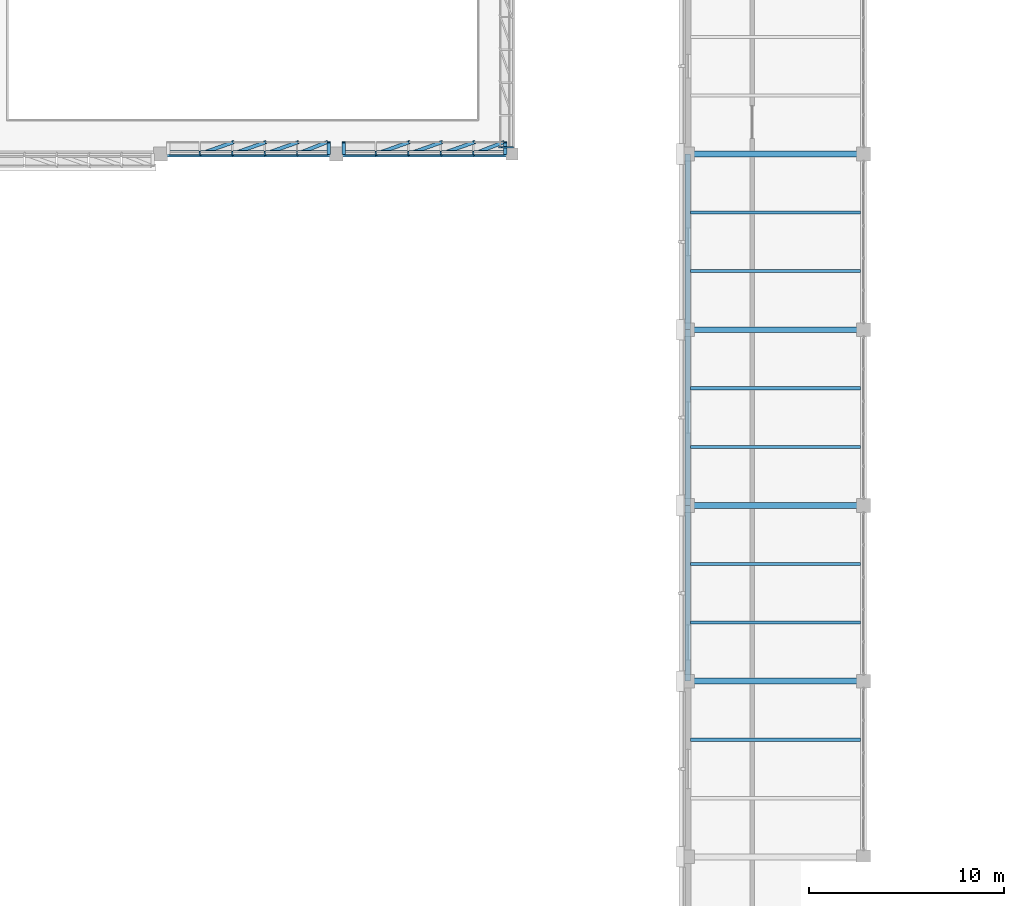
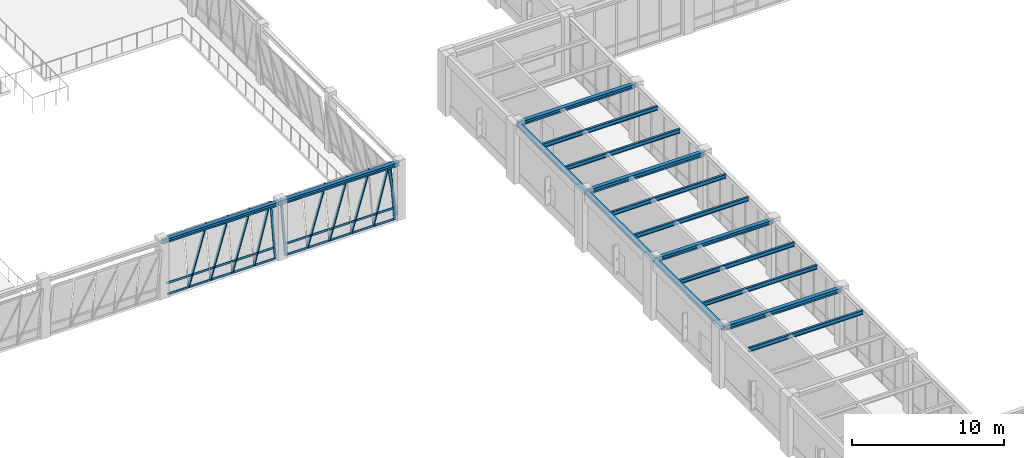
# One storey, part 35 of 98: 32 members, 16 beams, 3 elements without a shape of their own.
"""IFC4 building model written with IfcOpenShell, lengths in metres."""

from ifc_helpers import new_model, si_unit, direction, frame, origin, origin_2d, place, context, subcontext, project, spatial, hollow_rectangle, i_section, extrude, material, material_profile, profile_set, type_object, element, aggregate, save


model = new_model("IFC4")

# Units and contexts
model_context = context("Model", 3, precision=1e-05, world=origin(), true_north=direction((0.0, 1.0)))
body_context = subcontext(model_context, "Body", "Model", "MODEL_VIEW")
ifc_project = project(units=[si_unit("LENGTHUNIT", "METRE"), si_unit("AREAUNIT", "SQUARE_METRE"), si_unit("VOLUMEUNIT", "CUBIC_METRE"), si_unit("PLANEANGLEUNIT", "RADIAN"), si_unit("MASSUNIT", "GRAM", prefix="KILO")], contexts=[model_context])

# Site, building, storey
site_placement = place(None, origin())
site = spatial("IfcSite", under=ifc_project, at=site_placement, CompositionType="ELEMENT")
building_placement = place(site_placement, origin())
building = spatial("IfcBuilding", under=site, at=building_placement, Name="Lykobir Media Centre", CompositionType="ELEMENT")
storey_placement = place(building_placement, frame((0.0, 0.0, 10.199951171875)))
storey = spatial("IfcBuildingStorey", under=building, at=storey_placement, Name="L02", CompositionType="ELEMENT", Elevation=10.199951171875)

# Beams
ifc_material_1 = material(Name="Steel S355", Category="steel")
ifc_material_profile_1 = material_profile(ifc_material_1, i_section(OverallWidth=0.300048828125, OverallDepth=0.35009765625, WebThickness=0.010009765625, FlangeThickness=0.017578125, at=origin_2d()), Name="HEA 360")
ifc_profile_set_1 = profile_set([ifc_material_profile_1], Name="Steel S355")
beam_type_1 = type_object("IfcBeamType", Name="BM-HEA360", PredefinedType="BEAM", material=ifc_profile_set_1)
for number, where, z_axis, x_axis, name in (
    (1, (90.0, 36.0, 4.385009765625), (1.0, 0.0, 0.0), (0.0, 1.0, 0.0), "Beam BM-L02-0900-0360-0990-0360-1458"),
    (2, (90.0, 54.0, 4.385009765625), (1.0, 0.0, 0.0), (0.0, 1.0, 0.0), "Beam BM-L02-0900-0540-0990-0540-1458"),
):
    element("IfcBeam", number, at=place(storey_placement, frame(where, z_axis=z_axis, x_axis=x_axis)), inside=storey, type_object=beam_type_1, Name=name, PredefinedType="BEAM", context=body_context, shape_type="SweptSolid", body=[
        extrude(i_section(OverallWidth=0.300048828125, OverallDepth=0.35009765625, WebThickness=0.010009765625, FlangeThickness=0.017578125, at=origin_2d()), origin(), (0.0, 0.0, 1.0), 9.0),
    ])

# Curtain wall, members
ifc_material_2 = material(Name="Anodized Aluminium AW-6060", Category="aluminium")
curtain_wall_type = type_object("IfcCurtainWallType", Name="CW-V6-CR2", PredefinedType="NOTDEFINED", material=ifc_material_2)
curtain_wall_1_placement = place(storey_placement, origin())
curtain_wall_1 = element("IfcCurtainWall", 3, at=curtain_wall_1_placement, inside=storey, type_object=curtain_wall_type, Name="Curtain wall CW2-L02-0085", PredefinedType="NOTDEFINED")
ifc_material_profile_2 = material_profile(ifc_material_2, hollow_rectangle(XDim=0.074951171875, YDim=0.179931640625, WallThickness=0.00390625, at=origin_2d()), Name="ALU MULLION 75x180")
ifc_profile_set_2 = profile_set([ifc_material_profile_2], Name="Anodized Aluminium AW-6060")
member_type_1 = type_object("IfcMemberType", Name="CWM-180", PredefinedType="MULLION", material=ifc_profile_set_2)
member_1_placement = place(storey_placement, frame((71.607421875, 63.0, 0.0), z_axis=(0.0, 0.142643417261, 0.989774143687), x_axis=(0.0, 0.989774143687, -0.142643417261)))
member_1 = element("IfcMember", 4, at=member_1_placement, type_object=member_type_1, Name="CW2-L02-0085 mullion 1", PredefinedType="MULLION", context=body_context, shape_type="SweptSolid", body=[
    extrude(hollow_rectangle(XDim=0.074951171875, YDim=0.179931640625, WallThickness=0.00390625, at=origin_2d()), origin(), (0.0, 0.0, 1.0), 4.27880859375),
])
member_2_placement = place(storey_placement, frame((69.987060546875, 63.0, 0.0), z_axis=(0.339696067338, 0.134161164036, 0.930917485011), x_axis=(0.865836279021, 0.34195745617, -0.365229566301)))
member_2 = element("IfcMember", 5, at=member_2_placement, type_object=member_type_1, Name="CW2-L02-0085 mullion 2", PredefinedType="MULLION", context=body_context, shape_type="SweptSolid", body=[
    extrude(hollow_rectangle(XDim=0.074951171875, YDim=0.179931640625, WallThickness=0.00390625, at=origin_2d()), origin(), (0.0, 0.0, 1.0), 4.54931640625),
])
member_3_placement = place(storey_placement, frame((68.3291015625, 63.0, 0.0), z_axis=(0.374558713271, 0.132259432652, 0.917721751288), x_axis=(0.865357601466, 0.305564124811, -0.397223850257)))
member_3 = element("IfcMember", 6, at=member_3_placement, type_object=member_type_1, Name="CW2-L02-0085 mullion 3", PredefinedType="MULLION", context=body_context, shape_type="SweptSolid", body=[
    extrude(hollow_rectangle(XDim=0.074951171875, YDim=0.179931640625, WallThickness=0.00390625, at=origin_2d()), origin(), (0.0, 0.0, 1.0), 4.61474609375),
])
member_4_placement = place(storey_placement, frame((66.6708984375, 63.0, 0.0), z_axis=(0.374604193598, 0.132256811749, 0.917703565365), x_axis=(0.86535400057, 0.305519700808, -0.397265863265)))
member_4 = element("IfcMember", 7, at=member_4_placement, type_object=member_type_1, Name="CW2-L02-0085 mullion 4", PredefinedType="MULLION", context=body_context, shape_type="SweptSolid", body=[
    extrude(hollow_rectangle(XDim=0.074951171875, YDim=0.179931640625, WallThickness=0.00390625, at=origin_2d()), origin(), (0.0, 0.0, 1.0), 4.614990234375),
])
member_5_placement = place(storey_placement, frame((65.012939453125, 63.0, 0.0), z_axis=(0.374604193598, 0.132256811749, 0.917703565365), x_axis=(0.86535400057, 0.305519700808, -0.397265863265)))
member_5 = element("IfcMember", 8, at=member_5_placement, type_object=member_type_1, Name="CW2-L02-0085 mullion 5", PredefinedType="MULLION", context=body_context, shape_type="SweptSolid", body=[
    extrude(hollow_rectangle(XDim=0.074951171875, YDim=0.179931640625, WallThickness=0.00390625, at=origin_2d()), origin(), (0.0, 0.0, 1.0), 4.614990234375),
])

curtain_wall_2_placement = place(storey_placement, origin())
curtain_wall_2 = element("IfcCurtainWall", 9, at=curtain_wall_2_placement, inside=storey, type_object=curtain_wall_type, Name="Curtain wall CW2-L02-0086", PredefinedType="NOTDEFINED")
member_6_placement = place(storey_placement, frame((80.657470703125, 63.0, 0.0), z_axis=(0.0, 0.142643417261, 0.989774143687), x_axis=(0.0, 0.989774143687, -0.142643417261)))
member_6 = element("IfcMember", 10, at=member_6_placement, type_object=member_type_1, Name="CW2-L02-0086 mullion 1", PredefinedType="MULLION", context=body_context, shape_type="SweptSolid", body=[
    extrude(hollow_rectangle(XDim=0.074951171875, YDim=0.179931640625, WallThickness=0.00390625, at=origin_2d()), origin(), (0.0, 0.0, 1.0), 4.27880859375),
])
member_7_placement = place(storey_placement, frame((79.027099609375, 63.0, 0.0), z_axis=(0.341640232781, 0.134060678379, 0.930220235137), x_axis=(0.865937622104, 0.339796586919, -0.36700179038)))
member_7 = element("IfcMember", 11, at=member_7_placement, type_object=member_type_1, Name="CW2-L02-0086 mullion 2", PredefinedType="MULLION", context=body_context, shape_type="SweptSolid", body=[
    extrude(hollow_rectangle(XDim=0.074951171875, YDim=0.179931640625, WallThickness=0.00390625, at=origin_2d()), origin(), (0.0, 0.0, 1.0), 4.552734375),
])
member_8_placement = place(storey_placement, frame((77.35888671875, 63.0, 0.0), z_axis=(0.374604193598, 0.132256811749, 0.917703565365), x_axis=(0.86535400057, 0.305519700808, -0.397265863265)))
member_8 = element("IfcMember", 12, at=member_8_placement, type_object=member_type_1, Name="CW2-L02-0086 mullion 3", PredefinedType="MULLION", context=body_context, shape_type="SweptSolid", body=[
    extrude(hollow_rectangle(XDim=0.074951171875, YDim=0.179931640625, WallThickness=0.00390625, at=origin_2d()), origin(), (0.0, 0.0, 1.0), 4.614990234375),
])
member_9_placement = place(storey_placement, frame((75.69091796875, 63.0, 0.0), z_axis=(0.374604193598, 0.132256811749, 0.917703565365), x_axis=(0.86535400057, 0.305519700808, -0.397265863265)))
member_9 = element("IfcMember", 13, at=member_9_placement, type_object=member_type_1, Name="CW2-L02-0086 mullion 4", PredefinedType="MULLION", context=body_context, shape_type="SweptSolid", body=[
    extrude(hollow_rectangle(XDim=0.074951171875, YDim=0.179931640625, WallThickness=0.00390625, at=origin_2d()), origin(), (0.0, 0.0, 1.0), 4.614990234375),
])
member_10_placement = place(storey_placement, frame((74.02294921875, 63.0, 0.0), z_axis=(0.374604193598, 0.132256811749, 0.917703565365), x_axis=(0.86535400057, 0.305519700808, -0.397265863265)))
member_10 = element("IfcMember", 14, at=member_10_placement, type_object=member_type_1, Name="CW2-L02-0086 mullion 5", PredefinedType="MULLION", context=body_context, shape_type="SweptSolid", body=[
    extrude(hollow_rectangle(XDim=0.074951171875, YDim=0.179931640625, WallThickness=0.00390625, at=origin_2d()), origin(), (0.0, 0.0, 1.0), 4.614990234375),
])
member_11_placement = place(storey_placement, frame((72.392578125, 63.0, 0.0), z_axis=(0.0, 0.142643417261, 0.989774143687), x_axis=(0.0, 0.989774143687, -0.142643417261)))
member_11 = element("IfcMember", 15, at=member_11_placement, type_object=member_type_1, Name="CW2-L02-0086 mullion 6", PredefinedType="MULLION", context=body_context, shape_type="SweptSolid", body=[
    extrude(hollow_rectangle(XDim=0.074951171875, YDim=0.179931640625, WallThickness=0.00390625, at=origin_2d()), origin(), (0.0, 0.0, 1.0), 4.27880859375),
])

# Curtain wall, member
curtain_wall_3_placement = place(storey_placement, origin())
curtain_wall_3 = element("IfcCurtainWall", 16, at=curtain_wall_3_placement, inside=storey, type_object=curtain_wall_type, Name="Curtain wall CW2-L02-0087", PredefinedType="NOTDEFINED")
member_12_placement = place(storey_placement, frame((81.0, 63.342529296875, 0.0), z_axis=(-0.142643417261, 0.0, 0.989774143687), x_axis=(0.0, -1.0, 0.0)))
member_12 = element("IfcMember", 17, at=member_12_placement, type_object=member_type_1, Name="CW2-L02-0087 mullion 6", PredefinedType="MULLION", context=body_context, shape_type="SweptSolid", body=[
    extrude(hollow_rectangle(XDim=0.074951171875, YDim=0.179931640625, WallThickness=0.00390625, at=origin_2d()), origin(), (0.0, 0.0, 1.0), 4.27880859375),
])
aggregate(curtain_wall_3, [member_12])

# Member
ifc_material_profile_3 = material_profile(ifc_material_2, hollow_rectangle(XDim=0.074951171875, YDim=0.14990234375, WallThickness=0.00341796875, at=origin_2d()), Name="ALU TRANSOM 75x150")
ifc_profile_set_3 = profile_set([ifc_material_profile_3], Name="Anodized Aluminium AW-6060")
member_type_2 = type_object("IfcMemberType", Name="CWT-150", PredefinedType="USERDEFINED", material=ifc_profile_set_3)
member_13_placement = place(storey_placement, frame((71.570068359375, 63.00537109375, 0.037109375), z_axis=(-1.0, 0.0, 0.0), x_axis=(0.0, -0.989776230908, 0.142628933706)))
member_13 = element("IfcMember", 18, at=member_13_placement, type_object=member_type_2, Name="CW2-L02-0085 transom 1.1", ObjectType="TRANSOM", PredefinedType="USERDEFINED", context=body_context, shape_type="SweptSolid", body=[
    extrude(hollow_rectangle(XDim=0.074951171875, YDim=0.14990234375, WallThickness=0.00341796875, at=origin_2d()), origin(), (0.0, 0.0, 1.0), 1.545654296875),
])

member_14_placement = place(storey_placement, frame((71.570068359375, 63.12109375, 0.84130859375), z_axis=(-1.0, 0.0, 0.0), x_axis=(0.0, -0.989776230908, 0.142628933706)))
member_14 = element("IfcMember", 19, at=member_14_placement, type_object=member_type_2, Name="CW2-L02-0085 transom 1.2", ObjectType="TRANSOM", PredefinedType="USERDEFINED", context=body_context, shape_type="SweptSolid", body=[
    extrude(hollow_rectangle(XDim=0.074951171875, YDim=0.14990234375, WallThickness=0.00341796875, at=origin_2d()), origin(), (0.0, 0.0, 1.0), 1.545654296875),
])

member_15_placement = place(storey_placement, frame((69.949462890625, 63.00537109375, 0.037109375), z_axis=(-1.0, 0.0, 0.0), x_axis=(0.0, -0.989776230908, 0.142628933706)))
member_15 = element("IfcMember", 20, at=member_15_placement, type_object=member_type_2, Name="CW2-L02-0085 transom 2.1", ObjectType="TRANSOM", PredefinedType="USERDEFINED", context=body_context, shape_type="SweptSolid", body=[
    extrude(hollow_rectangle(XDim=0.074951171875, YDim=0.14990234375, WallThickness=0.00341796875, at=origin_2d()), origin(), (0.0, 0.0, 1.0), 1.5830078125),
])

member_16_placement = place(storey_placement, frame((69.949462890625, 63.12109375, 0.84130859375), z_axis=(-1.0, 0.0, 0.0), x_axis=(0.0, -0.989776230908, 0.142628933706)))
member_16 = element("IfcMember", 21, at=member_16_placement, type_object=member_type_2, Name="CW2-L02-0085 transom 2.2", ObjectType="TRANSOM", PredefinedType="USERDEFINED", context=body_context, shape_type="SweptSolid", body=[
    extrude(hollow_rectangle(XDim=0.074951171875, YDim=0.14990234375, WallThickness=0.00341796875, at=origin_2d()), origin(), (0.0, 0.0, 1.0), 1.5830078125),
])

member_17_placement = place(storey_placement, frame((68.29150390625, 63.00537109375, 0.037109375), z_axis=(-1.0, 0.0, 0.0), x_axis=(0.0, -0.989776230908, 0.142628933706)))
member_17 = element("IfcMember", 22, at=member_17_placement, type_object=member_type_2, Name="CW2-L02-0085 transom 3.1", ObjectType="TRANSOM", PredefinedType="USERDEFINED", context=body_context, shape_type="SweptSolid", body=[
    extrude(hollow_rectangle(XDim=0.074951171875, YDim=0.14990234375, WallThickness=0.00341796875, at=origin_2d()), origin(), (0.0, 0.0, 1.0), 1.5830078125),
])

member_18_placement = place(storey_placement, frame((68.29150390625, 63.12109375, 0.84130859375), z_axis=(-1.0, 0.0, 0.0), x_axis=(0.0, -0.989776230908, 0.142628933706)))
member_18 = element("IfcMember", 23, at=member_18_placement, type_object=member_type_2, Name="CW2-L02-0085 transom 3.2", ObjectType="TRANSOM", PredefinedType="USERDEFINED", context=body_context, shape_type="SweptSolid", body=[
    extrude(hollow_rectangle(XDim=0.074951171875, YDim=0.14990234375, WallThickness=0.00341796875, at=origin_2d()), origin(), (0.0, 0.0, 1.0), 1.5830078125),
])

member_19_placement = place(storey_placement, frame((66.633544921875, 63.00537109375, 0.037109375), z_axis=(-1.0, 0.0, 0.0), x_axis=(0.0, -0.989776230908, 0.142628933706)))
member_19 = element("IfcMember", 24, at=member_19_placement, type_object=member_type_2, Name="CW2-L02-0085 transom 4.1", ObjectType="TRANSOM", PredefinedType="USERDEFINED", context=body_context, shape_type="SweptSolid", body=[
    extrude(hollow_rectangle(XDim=0.074951171875, YDim=0.14990234375, WallThickness=0.00341796875, at=origin_2d()), origin(), (0.0, 0.0, 1.0), 1.5830078125),
])

member_20_placement = place(storey_placement, frame((66.633544921875, 63.12109375, 0.84130859375), z_axis=(-1.0, 0.0, 0.0), x_axis=(0.0, -0.989776230908, 0.142628933706)))
member_20 = element("IfcMember", 25, at=member_20_placement, type_object=member_type_2, Name="CW2-L02-0085 transom 4.2", ObjectType="TRANSOM", PredefinedType="USERDEFINED", context=body_context, shape_type="SweptSolid", body=[
    extrude(hollow_rectangle(XDim=0.074951171875, YDim=0.14990234375, WallThickness=0.00341796875, at=origin_2d()), origin(), (0.0, 0.0, 1.0), 1.5830078125),
])

member_21_placement = place(storey_placement, frame((64.9755859375, 63.00537109375, 0.037109375), z_axis=(-1.0, 0.0, 0.0), x_axis=(0.0, -0.989776230908, 0.142628933706)))
member_21 = element("IfcMember", 26, at=member_21_placement, type_object=member_type_2, Name="CW2-L02-0085 transom 5.1", ObjectType="TRANSOM", PredefinedType="USERDEFINED", context=body_context, shape_type="SweptSolid", body=[
    extrude(hollow_rectangle(XDim=0.074951171875, YDim=0.14990234375, WallThickness=0.00341796875, at=origin_2d()), origin(), (0.0, 0.0, 1.0), 1.545654296875),
])

member_22_placement = place(storey_placement, frame((64.9755859375, 63.12109375, 0.84130859375), z_axis=(-1.0, 0.0, 0.0), x_axis=(0.0, -0.989776230908, 0.142628933706)))
member_22 = element("IfcMember", 27, at=member_22_placement, type_object=member_type_2, Name="CW2-L02-0085 transom 5.2", ObjectType="TRANSOM", PredefinedType="USERDEFINED", context=body_context, shape_type="SweptSolid", body=[
    extrude(hollow_rectangle(XDim=0.074951171875, YDim=0.14990234375, WallThickness=0.00341796875, at=origin_2d()), origin(), (0.0, 0.0, 1.0), 1.545654296875),
])

aggregate(curtain_wall_1, [member_1, member_2, member_3, member_4, member_5, member_13, member_14, member_15, member_16, member_17, member_18, member_19, member_20, member_21, member_22])

member_23_placement = place(storey_placement, frame((80.6201171875, 63.00537109375, 0.037109375), z_axis=(-1.0, 0.0, 0.0), x_axis=(0.0, -0.989776230908, 0.142628933706)))
member_23 = element("IfcMember", 28, at=member_23_placement, type_object=member_type_2, Name="CW2-L02-0086 transom 1.1", ObjectType="TRANSOM", PredefinedType="USERDEFINED", context=body_context, shape_type="SweptSolid", body=[
    extrude(hollow_rectangle(XDim=0.074951171875, YDim=0.14990234375, WallThickness=0.00341796875, at=origin_2d()), origin(), (0.0, 0.0, 1.0), 1.5556640625),
])

member_24_placement = place(storey_placement, frame((80.6201171875, 63.12109375, 0.84130859375), z_axis=(-1.0, 0.0, 0.0), x_axis=(0.0, -0.989776230908, 0.142628933706)))
member_24 = element("IfcMember", 29, at=member_24_placement, type_object=member_type_2, Name="CW2-L02-0086 transom 1.2", ObjectType="TRANSOM", PredefinedType="USERDEFINED", context=body_context, shape_type="SweptSolid", body=[
    extrude(hollow_rectangle(XDim=0.074951171875, YDim=0.14990234375, WallThickness=0.00341796875, at=origin_2d()), origin(), (0.0, 0.0, 1.0), 1.5556640625),
])

member_25_placement = place(storey_placement, frame((78.989501953125, 63.00537109375, 0.037109375), z_axis=(-1.0, 0.0, 0.0), x_axis=(0.0, -0.989776230908, 0.142628933706)))
member_25 = element("IfcMember", 30, at=member_25_placement, type_object=member_type_2, Name="CW2-L02-0086 transom 2.1", ObjectType="TRANSOM", PredefinedType="USERDEFINED", context=body_context, shape_type="SweptSolid", body=[
    extrude(hollow_rectangle(XDim=0.074951171875, YDim=0.14990234375, WallThickness=0.00341796875, at=origin_2d()), origin(), (0.0, 0.0, 1.0), 1.593017578125),
])

member_26_placement = place(storey_placement, frame((78.989501953125, 63.12109375, 0.84130859375), z_axis=(-1.0, 0.0, 0.0), x_axis=(0.0, -0.989776230908, 0.142628933706)))
member_26 = element("IfcMember", 31, at=member_26_placement, type_object=member_type_2, Name="CW2-L02-0086 transom 2.2", ObjectType="TRANSOM", PredefinedType="USERDEFINED", context=body_context, shape_type="SweptSolid", body=[
    extrude(hollow_rectangle(XDim=0.074951171875, YDim=0.14990234375, WallThickness=0.00341796875, at=origin_2d()), origin(), (0.0, 0.0, 1.0), 1.593017578125),
])

member_27_placement = place(storey_placement, frame((77.321533203125, 63.00537109375, 0.037109375), z_axis=(-1.0, 0.0, 0.0), x_axis=(0.0, -0.989776230908, 0.142628933706)))
member_27 = element("IfcMember", 32, at=member_27_placement, type_object=member_type_2, Name="CW2-L02-0086 transom 3.1", ObjectType="TRANSOM", PredefinedType="USERDEFINED", context=body_context, shape_type="SweptSolid", body=[
    extrude(hollow_rectangle(XDim=0.074951171875, YDim=0.14990234375, WallThickness=0.00341796875, at=origin_2d()), origin(), (0.0, 0.0, 1.0), 1.593017578125),
])

member_28_placement = place(storey_placement, frame((77.321533203125, 63.12109375, 0.84130859375), z_axis=(-1.0, 0.0, 0.0), x_axis=(0.0, -0.989776230908, 0.142628933706)))
member_28 = element("IfcMember", 33, at=member_28_placement, type_object=member_type_2, Name="CW2-L02-0086 transom 3.2", ObjectType="TRANSOM", PredefinedType="USERDEFINED", context=body_context, shape_type="SweptSolid", body=[
    extrude(hollow_rectangle(XDim=0.074951171875, YDim=0.14990234375, WallThickness=0.00341796875, at=origin_2d()), origin(), (0.0, 0.0, 1.0), 1.593017578125),
])

member_29_placement = place(storey_placement, frame((75.653564453125, 63.00537109375, 0.037109375), z_axis=(-1.0, 0.0, 0.0), x_axis=(0.0, -0.989776230908, 0.142628933706)))
member_29 = element("IfcMember", 34, at=member_29_placement, type_object=member_type_2, Name="CW2-L02-0086 transom 4.1", ObjectType="TRANSOM", PredefinedType="USERDEFINED", context=body_context, shape_type="SweptSolid", body=[
    extrude(hollow_rectangle(XDim=0.074951171875, YDim=0.14990234375, WallThickness=0.00341796875, at=origin_2d()), origin(), (0.0, 0.0, 1.0), 1.593017578125),
])

member_30_placement = place(storey_placement, frame((75.653564453125, 63.12109375, 0.84130859375), z_axis=(-1.0, 0.0, 0.0), x_axis=(0.0, -0.989776230908, 0.142628933706)))
member_30 = element("IfcMember", 35, at=member_30_placement, type_object=member_type_2, Name="CW2-L02-0086 transom 4.2", ObjectType="TRANSOM", PredefinedType="USERDEFINED", context=body_context, shape_type="SweptSolid", body=[
    extrude(hollow_rectangle(XDim=0.074951171875, YDim=0.14990234375, WallThickness=0.00341796875, at=origin_2d()), origin(), (0.0, 0.0, 1.0), 1.593017578125),
])

member_31_placement = place(storey_placement, frame((73.985595703125, 63.00537109375, 0.037109375), z_axis=(-1.0, 0.0, 0.0), x_axis=(0.0, -0.989776230908, 0.142628933706)))
member_31 = element("IfcMember", 36, at=member_31_placement, type_object=member_type_2, Name="CW2-L02-0086 transom 5.1", ObjectType="TRANSOM", PredefinedType="USERDEFINED", context=body_context, shape_type="SweptSolid", body=[
    extrude(hollow_rectangle(XDim=0.074951171875, YDim=0.14990234375, WallThickness=0.00341796875, at=origin_2d()), origin(), (0.0, 0.0, 1.0), 1.5556640625),
])

member_32_placement = place(storey_placement, frame((73.985595703125, 63.12109375, 0.84130859375), z_axis=(-1.0, 0.0, 0.0), x_axis=(0.0, -0.989776230908, 0.142628933706)))
member_32 = element("IfcMember", 37, at=member_32_placement, type_object=member_type_2, Name="CW2-L02-0086 transom 5.2", ObjectType="TRANSOM", PredefinedType="USERDEFINED", context=body_context, shape_type="SweptSolid", body=[
    extrude(hollow_rectangle(XDim=0.074951171875, YDim=0.14990234375, WallThickness=0.00341796875, at=origin_2d()), origin(), (0.0, 0.0, 1.0), 1.5556640625),
])

aggregate(curtain_wall_2, [member_6, member_7, member_8, member_9, member_10, member_11, member_23, member_24, member_25, member_26, member_27, member_28, member_29, member_30, member_31, member_32])

# Beams
ifc_material_profile_4 = material_profile(ifc_material_1, i_section(OverallWidth=0.159912109375, OverallDepth=0.330078125, WebThickness=0.007568359375, FlangeThickness=0.011474609375, at=origin_2d()), Name="IPE 330")
ifc_profile_set_4 = profile_set([ifc_material_profile_4], Name="Steel S355")
beam_type_2 = type_object("IfcBeamType", Name="JS-IPE330", PredefinedType="JOIST", material=ifc_profile_set_4)
for number, where, z_axis, x_axis, name in (
    (38, (90.14990234375, 33.0, 4.39501953125), (1.0, 0.0, 0.0), (0.0, 1.0, 0.0), "Beam BM-L02-0902-0330-0988-0330-1460"),
    (39, (90.14990234375, 39.0, 4.39501953125), (1.0, 0.0, 0.0), (0.0, 1.0, 0.0), "Beam BM-L02-0902-0390-0988-0390-1460"),
    (40, (90.14990234375, 42.0, 4.39501953125), (1.0, 0.0, 0.0), (0.0, 1.0, 0.0), "Beam BM-L02-0902-0420-0988-0420-1460"),
    (41, (90.14990234375, 48.0, 4.39501953125), (1.0, 0.0, 0.0), (0.0, 1.0, 0.0), "Beam BM-L02-0902-0480-0988-0480-1460"),
    (42, (90.14990234375, 51.0, 4.39501953125), (1.0, 0.0, 0.0), (0.0, 1.0, 0.0), "Beam BM-L02-0902-0510-0988-0510-1460"),
    (43, (90.14990234375, 57.0, 4.39501953125), (1.0, 0.0, 0.0), (0.0, 1.0, 0.0), "Beam BM-L02-0902-0570-0988-0570-1460"),
    (44, (90.14990234375, 60.0, 4.39501953125), (1.0, 0.0, 0.0), (0.0, 1.0, 0.0), "Beam BM-L02-0902-0600-0988-0600-1460"),
):
    element("IfcBeam", number, at=place(storey_placement, frame(where, z_axis=z_axis, x_axis=x_axis)), inside=storey, type_object=beam_type_2, Name=name, PredefinedType="JOIST", context=body_context, shape_type="SweptSolid", body=[
        extrude(i_section(OverallWidth=0.159912109375, OverallDepth=0.330078125, WebThickness=0.007568359375, FlangeThickness=0.011474609375, at=origin_2d()), origin(), (0.0, 0.0, 1.0), 8.7001953125),
    ])
ifc_material_profile_5 = material_profile(ifc_material_1, i_section(OverallWidth=0.300048828125, OverallDepth=0.31005859375, WebThickness=0.009033203125, FlangeThickness=0.015380859375, at=origin_2d()), Name="HEA 320")
ifc_profile_set_5 = profile_set([ifc_material_profile_5], Name="Steel S355")
beam_type_3 = type_object("IfcBeamType", Name="SP-HEA320", PredefinedType="SPANDREL", material=ifc_profile_set_5)
for number, where, z_axis, x_axis, name in (
    (45, (90.0, 45.0, 4.405029296875), (1.0, 0.0, 0.0), (0.0, 1.0, 0.0), "Beam BM-L02-0900-0450-0990-0450-1460"),
    (46, (63.0, 63.0, 4.405029296875), (1.0, 0.0, 0.0), (0.0, 1.0, 0.0), "Beam BM-L02-0630-0630-0720-0630-1460"),
    (47, (72.0, 63.0, 4.405029296875), (1.0, 0.0, 0.0), (0.0, 1.0, 0.0), "Beam BM-L02-0720-0630-0810-0630-1460"),
    (48, (90.0, 63.0, 4.405029296875), (1.0, 0.0, 0.0), (0.0, 1.0, 0.0), "Beam BM-L02-0900-0630-0990-0630-1460"),
):
    element("IfcBeam", number, at=place(storey_placement, frame(where, z_axis=z_axis, x_axis=x_axis)), inside=storey, type_object=beam_type_3, Name=name, PredefinedType="SPANDREL", context=body_context, shape_type="SweptSolid", body=[
        extrude(i_section(OverallWidth=0.300048828125, OverallDepth=0.31005859375, WebThickness=0.009033203125, FlangeThickness=0.015380859375, at=origin_2d()), origin(), (0.0, 0.0, 1.0), 9.0),
    ])
ifc_material_profile_6 = material_profile(ifc_material_1, i_section(OverallWidth=0.300048828125, OverallDepth=0.31005859375, WebThickness=0.009033203125, FlangeThickness=0.015380859375, at=origin_2d()), Name="HEA 320")
ifc_profile_set_6 = profile_set([ifc_material_profile_6], Name="Steel S355")
beam_type_4 = type_object("IfcBeamType", Name="SP-HEA320-E", PredefinedType="SPANDREL", material=ifc_profile_set_6)
for number, where, z_axis, x_axis, name in (
    (49, (90.0, 36.0, 4.405029296875), (0.0, 1.0, 0.0), (-1.0, 0.0, 0.0), "Beam BM-L02-0900-0360-0900-0450-1460"),
    (50, (90.0, 45.0, 4.405029296875), (0.0, 1.0, 0.0), (-1.0, 0.0, 0.0), "Beam BM-L02-0900-0450-0900-0540-1460"),
    (51, (90.0, 54.0, 4.405029296875), (0.0, 1.0, 0.0), (-1.0, 0.0, 0.0), "Beam BM-L02-0900-0540-0900-0630-1460"),
):
    element("IfcBeam", number, at=place(storey_placement, frame(where, z_axis=z_axis, x_axis=x_axis)), inside=storey, type_object=beam_type_4, Name=name, PredefinedType="SPANDREL", context=body_context, shape_type="SweptSolid", body=[
        extrude(i_section(OverallWidth=0.300048828125, OverallDepth=0.31005859375, WebThickness=0.009033203125, FlangeThickness=0.015380859375, at=origin_2d()), origin(), (0.0, 0.0, 1.0), 9.0),
    ])

save(model, "model.ifc")
